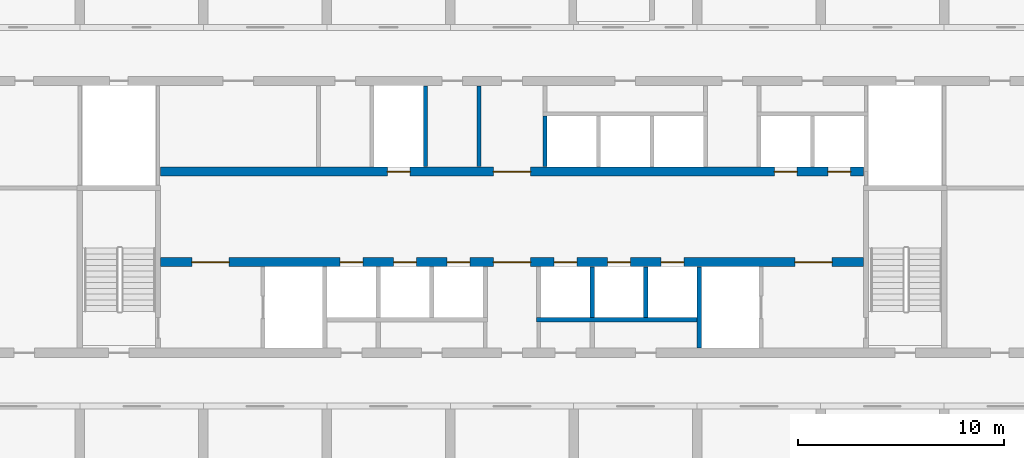
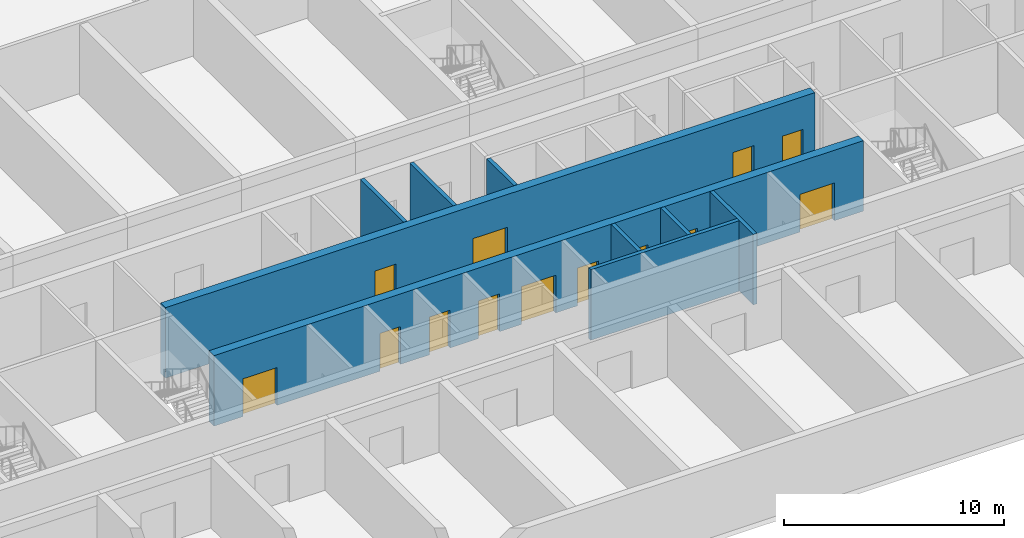
# One storey, part 6 of 15: 13 doors, 9 walls, 13 openings.
"""IFC4 building model written with IfcOpenShell, lengths in metres."""

import ifcopenshell
import ifcopenshell.guid

model = None  # the IFC model being written
_history = None  # IfcOwnerHistory: only IFC2X3 demands one
_inside = {}  # id of a spatial element -> (the spatial element, [elements in it])
_under = {}  # id of a project, library or spatial element -> (it, [spatial elements below it])
_declared = {}  # id of a project -> (the project, [libraries it declares])
_typed = {}  # id of a type object -> (the type object, [elements of that type])
_made_of = {}  # id of a material, layer set ... -> (it, [elements and type objects made of it])


def new_model(schema):
    """Start an empty IFC model of exactly this schema.

    Asked for "IFC4X3", IfcOpenShell would pick the latest addendum, in which some entities
    have other attributes; the version numbers below select the first issue.
    IFC2X3 requires an IfcOwnerHistory on every rooted entity: one is made here for all.
    """
    global model, _history
    if schema == "IFC4X3":
        model = ifcopenshell.file(schema_version=(4, 3, 0, 0))
    else:
        model = ifcopenshell.file(schema=schema)
    _inside.clear()
    _under.clear()
    _declared.clear()
    _typed.clear()
    _made_of.clear()
    _history = None
    if model.schema == "IFC2X3":
        org = make("IfcOrganization", Name="unknown")
        user = make(
            "IfcPersonAndOrganization",
            ThePerson=make("IfcPerson", FamilyName="unknown"),
            TheOrganization=org,
        )
        app = make(
            "IfcApplication",
            ApplicationDeveloper=org,
            Version="unknown",
            ApplicationFullName="unknown",
            ApplicationIdentifier="unknown",
        )
        _history = make(
            "IfcOwnerHistory",
            OwningUser=user,
            OwningApplication=app,
            ChangeAction="ADDED",
            CreationDate=0,
        )
    return model


def make(cls, **values):
    """One entity of the class cls with the attributes given. An attribute that is None is left unset."""
    return model.create_entity(
        cls, **{name: value for name, value in values.items() if value is not None}
    )


def rooted(cls, **values):
    """An entity with a GlobalId (a new one), such as an element, a storey or a relation."""
    return make(cls, GlobalId=ifcopenshell.guid.new(), OwnerHistory=_history, **values)


def si_unit(unit_type, name, prefix=None):
    """IfcSIUnit, for example si_unit("LENGTHUNIT", "METRE", prefix="MILLI")."""
    return make("IfcSIUnit", UnitType=unit_type, Prefix=prefix, Name=name)


def assignment(units):
    """IfcUnitAssignment: the units of a project."""
    return None if units is None else make("IfcUnitAssignment", Units=units)


def point(xyz):
    """IfcCartesianPoint."""
    return None if xyz is None else make("IfcCartesianPoint", Coordinates=xyz)


def direction(xyz):
    """IfcDirection."""
    return None if xyz is None else make("IfcDirection", DirectionRatios=xyz)


def frame(location, z_axis=None, x_axis=None):
    """IfcAxis2Placement3D, a coordinate frame: its origin and axes. An axis left out is left unset."""
    return make(
        "IfcAxis2Placement3D",
        Location=point(location),
        Axis=direction(z_axis),
        RefDirection=direction(x_axis),
    )


def frame_2d(location, x_axis=None):
    """IfcAxis2Placement2D, a coordinate frame in the plane: its origin and x axis."""
    return make(
        "IfcAxis2Placement2D", Location=point(location), RefDirection=direction(x_axis)
    )


def origin():
    """The frame at (0, 0, 0) with its axes left unset."""
    return frame((0.0, 0.0, 0.0))


def place(relative_to, where):
    """IfcLocalPlacement: puts the frame where relative to a parent placement (None: the world)."""
    return make(
        "IfcLocalPlacement", PlacementRelTo=relative_to, RelativePlacement=where
    )


def context(
    kind, dimensions, precision=None, world=None, true_north=None, identifier=None
):
    """IfcGeometricRepresentationContext, for example the 3D "Model" context."""
    return make(
        "IfcGeometricRepresentationContext",
        ContextIdentifier=identifier,
        ContextType=kind,
        CoordinateSpaceDimension=dimensions,
        Precision=precision,
        WorldCoordinateSystem=world,
        TrueNorth=true_north,
    )


def subcontext(parent, identifier, kind, view, scale=None):
    """IfcGeometricRepresentationSubContext, for example "Body" below "Model"."""
    return make(
        "IfcGeometricRepresentationSubContext",
        ContextIdentifier=identifier,
        ContextType=kind,
        ParentContext=parent,
        TargetScale=scale,
        TargetView=view,
    )


def project(units=None, contexts=None):
    """IfcProject with its units and contexts."""
    return rooted(
        "IfcProject",
        Name="project",
        RepresentationContexts=contexts,
        UnitsInContext=assignment(units),
    )


def spatial(cls, under=None, at=None, **own):
    """A site, building, storey or space (cls), placed at a placement, below another one or the project."""
    s = rooted(cls, ObjectPlacement=at, **own)
    if under is not None:
        _under.setdefault(under.id(), (under, []))[1].append(s)
    return s


def profile(cls, at=None, kind="AREA", **sizes):
    """A parametric profile (cls). Its sizes go by their IFC names, for example OverallWidth=200.0."""
    return make(cls, ProfileType=kind, Position=at, **sizes)


def rectangle(**sizes):
    """IfcRectangleProfileDef."""
    return profile("IfcRectangleProfileDef", **sizes)


def extrude(swept, where, along, depth):
    """IfcExtrudedAreaSolid: the profile swept, set in the frame where, extruded along a direction by depth."""
    return make(
        "IfcExtrudedAreaSolid",
        SweptArea=swept,
        Position=where,
        ExtrudedDirection=direction(along),
        Depth=depth,
    )


def shape(context_of_items, identifier, shape_type, items):
    """IfcShapeRepresentation: the items that make up one representation, for example the "Body"."""
    return make(
        "IfcShapeRepresentation",
        ContextOfItems=context_of_items,
        RepresentationIdentifier=identifier,
        RepresentationType=shape_type,
        Items=items,
    )


def material(Name=None, Category=None):
    """IfcMaterial."""
    return make("IfcMaterial", Name=Name, Category=Category)


def layer(
    of_material, thickness, ventilated=None, Name=None, Category=None, Priority=None
):
    """IfcMaterialLayer: one layer of a wall or slab, of a material (None: an air gap)."""
    return make(
        "IfcMaterialLayer",
        Material=of_material,
        LayerThickness=thickness,
        IsVentilated=ventilated,
        Name=Name,
        Category=Category,
        Priority=Priority,
    )


def layer_set(layers, Name=None):
    """IfcMaterialLayerSet."""
    return make("IfcMaterialLayerSet", MaterialLayers=layers, LayerSetName=Name)


def made_of(thing, what):
    """Note that an element or type object is made of a material, layer set ...; save() writes the relation."""
    if what is not None:
        _made_of.setdefault(what.id(), (what, []))[1].append(thing)
    return thing


def type_object(cls, material=None, **own):
    """A type object (cls), such as IfcWallType, which elements share."""
    return made_of(rooted(cls, **own), material)


def element(
    cls,
    number,
    at=None,
    inside=None,
    cuts=None,
    type_object=None,
    material=None,
    context=None,
    identifier="Body",
    shape_type=None,
    held_by="IfcProductDefinitionShape",
    body=None,
    shapes=None,
    **own,
):
    """One element of the class cls, such as IfcWall. Its Tag is "e" and its number.

    at: its placement. inside: the storey or other place that contains it. cuts: it is an
    opening in that element (IfcRelVoidsElement). A single representation is given by context,
    identifier, shape_type and body (its items); several are given by shapes. held_by: the class
    of the entity that holds the representations. save() writes the other relations.
    """
    e = rooted(cls, Tag="e%d" % number, ObjectPlacement=at, **own)
    if body is not None:
        shapes = [shape(context, identifier, shape_type, body)]
    if shapes is not None:
        e.Representation = make(held_by, Representations=shapes)
    if inside is not None:
        _inside.setdefault(inside.id(), (inside, []))[1].append(e)
    if cuts is not None:
        rooted(
            "IfcRelVoidsElement", RelatingBuildingElement=cuts, RelatedOpeningElement=e
        )
    if type_object is not None:
        _typed.setdefault(type_object.id(), (type_object, []))[1].append(e)
    return made_of(e, material)


def fill(opening, filler):
    """IfcRelFillsElement: the door or window that sits in an opening."""
    return rooted(
        "IfcRelFillsElement",
        RelatingOpeningElement=opening,
        RelatedBuildingElement=filler,
    )


def aggregate(whole, parts):
    """IfcRelAggregates: a whole, such as a stair, and the parts it consists of."""
    return rooted("IfcRelAggregates", RelatingObject=whole, RelatedObjects=parts)


def save(model, path):
    """Write the relations noted so far, then the file.

    IfcRelAggregates (storeys below a building ...), IfcRelContainedInSpatialStructure (elements
    in a storey), IfcRelDefinesByType, IfcRelAssociatesMaterial and IfcRelDeclares: one each for
    every whole, place, type object, material and project.
    """
    for whole, parts in _under.values():
        aggregate(whole, parts)
    for where, things in _inside.values():
        rooted(
            "IfcRelContainedInSpatialStructure",
            RelatedElements=things,
            RelatingStructure=where,
        )
    for kind, things in _typed.values():
        rooted("IfcRelDefinesByType", RelatedObjects=things, RelatingType=kind)
    for what, things in _made_of.values():
        rooted("IfcRelAssociatesMaterial", RelatedObjects=things, RelatingMaterial=what)
    for by, libraries in _declared.values():
        rooted("IfcRelDeclares", RelatingContext=by, RelatedDefinitions=libraries)
    model.write(path)


model = new_model("IFC4")

# Units and contexts
model_context = context("Model", 3, precision=1e-05, world=origin(), true_north=direction((0.0, 1.0)))
body_context = subcontext(model_context, "Body", "Model", "MODEL_VIEW")
ifc_project = project(units=[si_unit("LENGTHUNIT", "METRE"), si_unit("AREAUNIT", "SQUARE_METRE"), si_unit("VOLUMEUNIT", "CUBIC_METRE"), si_unit("PLANEANGLEUNIT", "RADIAN"), si_unit("MASSUNIT", "GRAM", prefix="KILO")], contexts=[model_context])

# Site, building, storey
site_placement = place(None, origin())
site = spatial("IfcSite", under=ifc_project, at=site_placement, CompositionType="ELEMENT")
building_placement = place(site_placement, origin())
building = spatial("IfcBuilding", under=site, at=building_placement, Name="Poui Terraces", CompositionType="ELEMENT")
storey_placement = place(building_placement, frame((0.0, 0.0, 10.800048828125)))
storey = spatial("IfcBuildingStorey", under=building, at=storey_placement, Name="L02", CompositionType="ELEMENT", Elevation=10.800048828125)

# Wall, openings, doors
ifc_material_1 = material(Name="Concrete 80 MPa", Category="concrete")
ifc_layer_1 = layer(ifc_material_1, 0.449951171875)
ifc_layer_set_1 = layer_set([ifc_layer_1], Name="Concrete 80 MPa")
wall_type_1 = type_object("IfcWallType", Name="CORE WALL 450 80 MPA", PredefinedType="SOLIDWALL", material=ifc_layer_set_1)
wall_1_placement = place(storey_placement, frame((33.925048828125, 19.0, 0.0), z_axis=(0.0, 0.0, 1.0), x_axis=(1.0, 0.0, 0.0)))
wall_1 = element("IfcWall", 1, at=wall_1_placement, inside=storey, type_object=wall_type_1, Name="CORE WALL", PredefinedType="SOLIDWALL", context=body_context, shape_type="SweptSolid", body=[
    extrude(rectangle(XDim=34.14990234375, YDim=0.449951171875, at=frame_2d((17.074951171875, 0.0))), origin(), (0.0, 0.0, 1.0), 3.919921875),
])
opening_1_placement = place(wall_1_placement, frame((16.175048828125, 0.0, 0.0)))
opening_1 = element("IfcOpeningElement", 2, at=opening_1_placement, cuts=wall_1, Name="Opening FDD60", PredefinedType="OPENING", context=body_context, shape_type="SweptSolid", body=[
    extrude(rectangle(XDim=1.800048828125, YDim=2.10009765625, at=frame_2d((0.89990234375, 1.050048828125))), frame((0.0, 0.23486328125, 0.0), z_axis=(0.0, -1.0, 0.0), x_axis=(1.0, 0.0, 0.0)), (0.0, 0.0, 1.0), 0.469970703125),
])
opening_2_placement = place(wall_1_placement, frame((1.52490234375, 0.0, 0.0)))
opening_2 = element("IfcOpeningElement", 3, at=opening_2_placement, cuts=wall_1, Name="Opening FDD60", PredefinedType="OPENING", context=body_context, shape_type="SweptSolid", body=[
    extrude(rectangle(XDim=1.800048828125, YDim=2.10009765625, at=frame_2d((0.89990234375, 1.050048828125))), frame((0.0, 0.23486328125, 0.0), z_axis=(0.0, -1.0, 0.0), x_axis=(1.0, 0.0, 0.0)), (0.0, 0.0, 1.0), 0.469970703125),
])
opening_3_placement = place(wall_1_placement, frame((8.72509765625, 0.0, 0.0)))
opening_3 = element("IfcOpeningElement", 4, at=opening_3_placement, cuts=wall_1, Name="Opening LD", PredefinedType="OPENING", context=body_context, shape_type="SweptSolid", body=[
    extrude(rectangle(XDim=1.10009765625, YDim=2.10009765625, at=frame_2d((0.550048828125, 1.050048828125))), frame((0.0, 0.23486328125, 0.0), z_axis=(0.0, -1.0, 0.0), x_axis=(1.0, 0.0, 0.0)), (0.0, 0.0, 1.0), 0.469970703125),
])
opening_4_placement = place(wall_1_placement, frame((11.324951171875, 0.0, 0.0)))
opening_4 = element("IfcOpeningElement", 5, at=opening_4_placement, cuts=wall_1, Name="Opening LD", PredefinedType="OPENING", context=body_context, shape_type="SweptSolid", body=[
    extrude(rectangle(XDim=1.10009765625, YDim=2.10009765625, at=frame_2d((0.550048828125, 1.050048828125))), frame((0.0, 0.23486328125, 0.0), z_axis=(0.0, -1.0, 0.0), x_axis=(1.0, 0.0, 0.0)), (0.0, 0.0, 1.0), 0.469970703125),
])
opening_5_placement = place(wall_1_placement, frame((13.925048828125, 0.0, 0.0)))
opening_5 = element("IfcOpeningElement", 6, at=opening_5_placement, cuts=wall_1, Name="Opening LD", PredefinedType="OPENING", context=body_context, shape_type="SweptSolid", body=[
    extrude(rectangle(XDim=1.10009765625, YDim=2.10009765625, at=frame_2d((0.550048828125, 1.050048828125))), frame((0.0, 0.23486328125, 0.0), z_axis=(0.0, -1.0, 0.0), x_axis=(1.0, 0.0, 0.0)), (0.0, 0.0, 1.0), 0.469970703125),
])
opening_6_placement = place(wall_1_placement, frame((19.125, 0.0, 0.0)))
opening_6 = element("IfcOpeningElement", 7, at=opening_6_placement, cuts=wall_1, Name="Opening LD", PredefinedType="OPENING", context=body_context, shape_type="SweptSolid", body=[
    extrude(rectangle(XDim=1.10009765625, YDim=2.10009765625, at=frame_2d((0.550048828125, 1.050048828125))), frame((0.0, 0.23486328125, 0.0), z_axis=(0.0, -1.0, 0.0), x_axis=(1.0, 0.0, 0.0)), (0.0, 0.0, 1.0), 0.469970703125),
])
opening_7_placement = place(wall_1_placement, frame((21.72509765625, 0.0, 0.0)))
opening_7 = element("IfcOpeningElement", 8, at=opening_7_placement, cuts=wall_1, Name="Opening LD", PredefinedType="OPENING", context=body_context, shape_type="SweptSolid", body=[
    extrude(rectangle(XDim=1.10009765625, YDim=2.10009765625, at=frame_2d((0.550048828125, 1.050048828125))), frame((0.0, 0.23486328125, 0.0), z_axis=(0.0, -1.0, 0.0), x_axis=(1.0, 0.0, 0.0)), (0.0, 0.0, 1.0), 0.469970703125),
])
opening_8_placement = place(wall_1_placement, frame((24.324951171875, 0.0, 0.0)))
opening_8 = element("IfcOpeningElement", 9, at=opening_8_placement, cuts=wall_1, Name="Opening LD", PredefinedType="OPENING", context=body_context, shape_type="SweptSolid", body=[
    extrude(rectangle(XDim=1.10009765625, YDim=2.10009765625, at=frame_2d((0.550048828125, 1.050048828125))), frame((0.0, 0.23486328125, 0.0), z_axis=(0.0, -1.0, 0.0), x_axis=(1.0, 0.0, 0.0)), (0.0, 0.0, 1.0), 0.469970703125),
])
opening_9_placement = place(wall_1_placement, frame((30.824951171875, 0.0, 0.0)))
opening_9 = element("IfcOpeningElement", 10, at=opening_9_placement, cuts=wall_1, Name="Opening FDD60", PredefinedType="OPENING", context=body_context, shape_type="SweptSolid", body=[
    extrude(rectangle(XDim=1.800048828125, YDim=2.10009765625, at=frame_2d((0.89990234375, 1.050048828125))), frame((0.0, 0.23486328125, 0.0), z_axis=(0.0, -1.0, 0.0), x_axis=(1.0, 0.0, 0.0)), (0.0, 0.0, 1.0), 0.469970703125),
])
ifc_material_2 = material(Name="Steel fire door", Category="steel")
door_type_1 = type_object("IfcDoorType", Name="DOUBLE LOBBY FIRE DOOR 1800 X 2100", OperationType="DOUBLE_DOOR_SINGLE_SWING", PredefinedType="DOOR", material=ifc_material_2)
door_1_placement = place(opening_1_placement, frame((1.800048828125, 0.0, 0.0), z_axis=(0.0, 0.0, 1.0), x_axis=(-1.0, 0.0, 0.0)))
door_1 = element("IfcDoor", 11, at=door_1_placement, inside=storey, type_object=door_type_1, Name="DOUBLE LOBBY FIRE DOOR 088", OperationType="DOUBLE_DOOR_SINGLE_SWING", OverallHeight=2.10009765625, OverallWidth=1.800048828125, PredefinedType="DOOR", context=body_context, shape_type="SweptSolid", body=[
    extrude(rectangle(XDim=1.800048828125, YDim=2.10009765625, at=frame_2d((0.89990234375, 1.050048828125))), frame((0.0, 0.02490234375, 0.0), z_axis=(0.0, -1.0, 0.0), x_axis=(1.0, 0.0, 0.0)), (0.0, 0.0, 1.0), 0.050048828125),
])
fill(opening_1, door_1)
door_2_placement = place(opening_2_placement, origin())
door_2 = element("IfcDoor", 12, at=door_2_placement, inside=storey, type_object=door_type_1, Name="DOUBLE LOBBY FIRE DOOR 089", OperationType="DOUBLE_DOOR_SINGLE_SWING", OverallHeight=2.10009765625, OverallWidth=1.800048828125, PredefinedType="DOOR", context=body_context, shape_type="SweptSolid", body=[
    extrude(rectangle(XDim=1.800048828125, YDim=2.10009765625, at=frame_2d((0.89990234375, 1.050048828125))), frame((0.0, 0.02490234375, 0.0), z_axis=(0.0, -1.0, 0.0), x_axis=(1.0, 0.0, 0.0)), (0.0, 0.0, 1.0), 0.050048828125),
])
fill(opening_2, door_2)
door_3_placement = place(opening_9_placement, origin())
door_3 = element("IfcDoor", 13, at=door_3_placement, inside=storey, type_object=door_type_1, Name="DOUBLE LOBBY FIRE DOOR 098", OperationType="DOUBLE_DOOR_SINGLE_SWING", OverallHeight=2.10009765625, OverallWidth=1.800048828125, PredefinedType="DOOR", context=body_context, shape_type="SweptSolid", body=[
    extrude(rectangle(XDim=1.800048828125, YDim=2.10009765625, at=frame_2d((0.89990234375, 1.050048828125))), frame((0.0, 0.02490234375, 0.0), z_axis=(0.0, -1.0, 0.0), x_axis=(1.0, 0.0, 0.0)), (0.0, 0.0, 1.0), 0.050048828125),
])
fill(opening_9, door_3)
ifc_material_3 = material(Name="Stainless steel sliding door", Category="steel")
door_type_2 = type_object("IfcDoorType", Name="LIFT LANDING DOOR 1100 X 2100", OperationType="DOUBLE_DOOR_SLIDING", PredefinedType="DOOR", material=ifc_material_3)
door_4_placement = place(opening_3_placement, origin())
door_4 = element("IfcDoor", 14, at=door_4_placement, inside=storey, type_object=door_type_2, Name="LANDING DOOR", OperationType="DOUBLE_DOOR_SLIDING", OverallHeight=2.10009765625, OverallWidth=1.10009765625, PredefinedType="DOOR", context=body_context, shape_type="SweptSolid", body=[
    extrude(rectangle(XDim=1.10009765625, YDim=2.10009765625, at=frame_2d((0.550048828125, 1.050048828125))), frame((0.0, 0.02490234375, 0.0), z_axis=(0.0, -1.0, 0.0), x_axis=(1.0, 0.0, 0.0)), (0.0, 0.0, 1.0), 0.050048828125),
])
fill(opening_3, door_4)
door_5_placement = place(opening_4_placement, origin())
door_5 = element("IfcDoor", 15, at=door_5_placement, inside=storey, type_object=door_type_2, Name="LANDING DOOR", OperationType="DOUBLE_DOOR_SLIDING", OverallHeight=2.10009765625, OverallWidth=1.10009765625, PredefinedType="DOOR", context=body_context, shape_type="SweptSolid", body=[
    extrude(rectangle(XDim=1.10009765625, YDim=2.10009765625, at=frame_2d((0.550048828125, 1.050048828125))), frame((0.0, 0.02490234375, 0.0), z_axis=(0.0, -1.0, 0.0), x_axis=(1.0, 0.0, 0.0)), (0.0, 0.0, 1.0), 0.050048828125),
])
fill(opening_4, door_5)
door_6_placement = place(opening_5_placement, origin())
door_6 = element("IfcDoor", 16, at=door_6_placement, inside=storey, type_object=door_type_2, Name="LANDING DOOR", OperationType="DOUBLE_DOOR_SLIDING", OverallHeight=2.10009765625, OverallWidth=1.10009765625, PredefinedType="DOOR", context=body_context, shape_type="SweptSolid", body=[
    extrude(rectangle(XDim=1.10009765625, YDim=2.10009765625, at=frame_2d((0.550048828125, 1.050048828125))), frame((0.0, 0.02490234375, 0.0), z_axis=(0.0, -1.0, 0.0), x_axis=(1.0, 0.0, 0.0)), (0.0, 0.0, 1.0), 0.050048828125),
])
fill(opening_5, door_6)
door_7_placement = place(opening_6_placement, origin())
door_7 = element("IfcDoor", 17, at=door_7_placement, inside=storey, type_object=door_type_2, Name="LANDING DOOR", OperationType="DOUBLE_DOOR_SLIDING", OverallHeight=2.10009765625, OverallWidth=1.10009765625, PredefinedType="DOOR", context=body_context, shape_type="SweptSolid", body=[
    extrude(rectangle(XDim=1.10009765625, YDim=2.10009765625, at=frame_2d((0.550048828125, 1.050048828125))), frame((0.0, 0.02490234375, 0.0), z_axis=(0.0, -1.0, 0.0), x_axis=(1.0, 0.0, 0.0)), (0.0, 0.0, 1.0), 0.050048828125),
])
fill(opening_6, door_7)
door_8_placement = place(opening_7_placement, origin())
door_8 = element("IfcDoor", 18, at=door_8_placement, inside=storey, type_object=door_type_2, Name="LANDING DOOR", OperationType="DOUBLE_DOOR_SLIDING", OverallHeight=2.10009765625, OverallWidth=1.10009765625, PredefinedType="DOOR", context=body_context, shape_type="SweptSolid", body=[
    extrude(rectangle(XDim=1.10009765625, YDim=2.10009765625, at=frame_2d((0.550048828125, 1.050048828125))), frame((0.0, 0.02490234375, 0.0), z_axis=(0.0, -1.0, 0.0), x_axis=(1.0, 0.0, 0.0)), (0.0, 0.0, 1.0), 0.050048828125),
])
fill(opening_7, door_8)
door_9_placement = place(opening_8_placement, origin())
door_9 = element("IfcDoor", 19, at=door_9_placement, inside=storey, type_object=door_type_2, Name="LANDING DOOR", OperationType="DOUBLE_DOOR_SLIDING", OverallHeight=2.10009765625, OverallWidth=1.10009765625, PredefinedType="DOOR", context=body_context, shape_type="SweptSolid", body=[
    extrude(rectangle(XDim=1.10009765625, YDim=2.10009765625, at=frame_2d((0.550048828125, 1.050048828125))), frame((0.0, 0.02490234375, 0.0), z_axis=(0.0, -1.0, 0.0), x_axis=(1.0, 0.0, 0.0)), (0.0, 0.0, 1.0), 0.050048828125),
])
fill(opening_8, door_9)

wall_2_placement = place(storey_placement, frame((33.925048828125, 23.39990234375, 0.0), z_axis=(0.0, 0.0, 1.0), x_axis=(1.0, 0.0, 0.0)))
wall_2 = element("IfcWall", 20, at=wall_2_placement, inside=storey, type_object=wall_type_1, Name="CORE WALL", PredefinedType="SOLIDWALL", context=body_context, shape_type="SweptSolid", body=[
    extrude(rectangle(XDim=34.14990234375, YDim=0.449951171875, at=frame_2d((17.074951171875, 0.0))), origin(), (0.0, 0.0, 1.0), 3.919921875),
])
opening_10_placement = place(wall_2_placement, frame((16.175048828125, 0.0, 0.0)))
opening_10 = element("IfcOpeningElement", 21, at=opening_10_placement, cuts=wall_2, Name="Opening FDD60", PredefinedType="OPENING", context=body_context, shape_type="SweptSolid", body=[
    extrude(rectangle(XDim=1.800048828125, YDim=2.10009765625, at=frame_2d((0.89990234375, 1.050048828125))), frame((0.0, 0.23486328125, 0.0), z_axis=(0.0, -1.0, 0.0), x_axis=(1.0, 0.0, 0.0)), (0.0, 0.0, 1.0), 0.469970703125),
])
opening_11_placement = place(wall_2_placement, frame((11.02490234375, 0.0, 0.0)))
opening_11 = element("IfcOpeningElement", 22, at=opening_11_placement, cuts=wall_2, Name="Opening LD", PredefinedType="OPENING", context=body_context, shape_type="SweptSolid", body=[
    extrude(rectangle(XDim=1.10009765625, YDim=2.10009765625, at=frame_2d((0.550048828125, 1.050048828125))), frame((0.0, 0.23486328125, 0.0), z_axis=(0.0, -1.0, 0.0), x_axis=(1.0, 0.0, 0.0)), (0.0, 0.0, 1.0), 0.469970703125),
])
opening_12_placement = place(wall_2_placement, frame((29.824951171875, 0.0, 0.0)))
opening_12 = element("IfcOpeningElement", 23, at=opening_12_placement, cuts=wall_2, Name="Opening LD", PredefinedType="OPENING", context=body_context, shape_type="SweptSolid", body=[
    extrude(rectangle(XDim=1.10009765625, YDim=2.10009765625, at=frame_2d((0.550048828125, 1.050048828125))), frame((0.0, 0.23486328125, 0.0), z_axis=(0.0, -1.0, 0.0), x_axis=(1.0, 0.0, 0.0)), (0.0, 0.0, 1.0), 0.469970703125),
])
opening_13_placement = place(wall_2_placement, frame((32.425048828125, 0.0, 0.0)))
opening_13 = element("IfcOpeningElement", 24, at=opening_13_placement, cuts=wall_2, Name="Opening LD", PredefinedType="OPENING", context=body_context, shape_type="SweptSolid", body=[
    extrude(rectangle(XDim=1.10009765625, YDim=2.10009765625, at=frame_2d((0.550048828125, 1.050048828125))), frame((0.0, 0.23486328125, 0.0), z_axis=(0.0, -1.0, 0.0), x_axis=(1.0, 0.0, 0.0)), (0.0, 0.0, 1.0), 0.469970703125),
])
door_10_placement = place(opening_10_placement, origin())
door_10 = element("IfcDoor", 25, at=door_10_placement, inside=storey, type_object=door_type_1, Name="DOUBLE LOBBY FIRE DOOR 087", OperationType="DOUBLE_DOOR_SINGLE_SWING", OverallHeight=2.10009765625, OverallWidth=1.800048828125, PredefinedType="DOOR", context=body_context, shape_type="SweptSolid", body=[
    extrude(rectangle(XDim=1.800048828125, YDim=2.10009765625, at=frame_2d((0.89990234375, 1.050048828125))), frame((0.0, 0.02490234375, 0.0), z_axis=(0.0, -1.0, 0.0), x_axis=(1.0, 0.0, 0.0)), (0.0, 0.0, 1.0), 0.050048828125),
])
fill(opening_10, door_10)
door_11_placement = place(opening_11_placement, origin())
door_11 = element("IfcDoor", 26, at=door_11_placement, inside=storey, type_object=door_type_2, Name="LANDING DOOR", OperationType="DOUBLE_DOOR_SLIDING", OverallHeight=2.10009765625, OverallWidth=1.10009765625, PredefinedType="DOOR", context=body_context, shape_type="SweptSolid", body=[
    extrude(rectangle(XDim=1.10009765625, YDim=2.10009765625, at=frame_2d((0.550048828125, 1.050048828125))), frame((0.0, 0.02490234375, 0.0), z_axis=(0.0, -1.0, 0.0), x_axis=(1.0, 0.0, 0.0)), (0.0, 0.0, 1.0), 0.050048828125),
])
fill(opening_11, door_11)
door_12_placement = place(opening_12_placement, origin())
door_12 = element("IfcDoor", 27, at=door_12_placement, inside=storey, type_object=door_type_2, Name="LANDING DOOR", OperationType="DOUBLE_DOOR_SLIDING", OverallHeight=2.10009765625, OverallWidth=1.10009765625, PredefinedType="DOOR", context=body_context, shape_type="SweptSolid", body=[
    extrude(rectangle(XDim=1.10009765625, YDim=2.10009765625, at=frame_2d((0.550048828125, 1.050048828125))), frame((0.0, 0.02490234375, 0.0), z_axis=(0.0, -1.0, 0.0), x_axis=(1.0, 0.0, 0.0)), (0.0, 0.0, 1.0), 0.050048828125),
])
fill(opening_12, door_12)
door_13_placement = place(opening_13_placement, origin())
door_13 = element("IfcDoor", 28, at=door_13_placement, inside=storey, type_object=door_type_2, Name="LANDING DOOR", OperationType="DOUBLE_DOOR_SLIDING", OverallHeight=2.10009765625, OverallWidth=1.10009765625, PredefinedType="DOOR", context=body_context, shape_type="SweptSolid", body=[
    extrude(rectangle(XDim=1.10009765625, YDim=2.10009765625, at=frame_2d((0.550048828125, 1.050048828125))), frame((0.0, 0.02490234375, 0.0), z_axis=(0.0, -1.0, 0.0), x_axis=(1.0, 0.0, 0.0)), (0.0, 0.0, 1.0), 0.050048828125),
])
fill(opening_13, door_13)

# Walls
ifc_material_4 = material(Name="Fire-rated masonry wall", Category="masonry")
ifc_layer_2 = layer(ifc_material_4, 0.199951171875)
ifc_layer_set_2 = layer_set([ifc_layer_2], Name="Fire-rated masonry wall")
wall_type_2 = type_object("IfcWallType", Name="PLANT ROOM WALL 200", PredefinedType="PARTITIONING", material=ifc_layer_set_2)
wall_3_placement = place(storey_placement, frame((49.39990234375, 23.635009765625, 0.0), z_axis=(0.0, 0.0, 1.0), x_axis=(0.0, 1.0, 0.0)))
element("IfcWall", 29, at=wall_3_placement, inside=storey, type_object=wall_type_2, Name="PLANT ROOM WALL 200", PredefinedType="PARTITIONING", context=body_context, shape_type="SweptSolid", body=[
    extrude(rectangle(XDim=3.929931640625, YDim=0.199951171875, at=frame_2d((1.96484375, 0.0))), origin(), (0.0, 0.0, 1.0), 3.919921875),
])
ifc_material_5 = material(Name="Fire-rated masonry shaft wall", Category="masonry")
ifc_layer_3 = layer(ifc_material_5, 0.199951171875)
ifc_layer_set_3 = layer_set([ifc_layer_3], Name="Fire-rated masonry shaft wall")
wall_type_3 = type_object("IfcWallType", Name="SHAFT WALL 200", PredefinedType="PARTITIONING", material=ifc_layer_set_3)
wall_4_placement = place(storey_placement, frame((52.199951171875, 16.199951171875, 0.0), z_axis=(0.0, 0.0, 1.0), x_axis=(1.0, 0.0, 0.0)))
element("IfcWall", 30, at=wall_4_placement, inside=storey, type_object=wall_type_3, Name="SHAFT WALL 200", PredefinedType="PARTITIONING", context=body_context, shape_type="SweptSolid", body=[
    extrude(rectangle(XDim=7.800048828125, YDim=0.199951171875, at=frame_2d((3.89990234375, 0.0))), origin(), (0.0, 0.0, 1.0), 3.919921875),
])
wall_5_placement = place(storey_placement, frame((46.800048828125, 23.635009765625, 0.0), z_axis=(0.0, 0.0, 1.0), x_axis=(0.0, 1.0, 0.0)))
element("IfcWall", 31, at=wall_5_placement, inside=storey, type_object=wall_type_3, Name="SHAFT WALL 200", PredefinedType="PARTITIONING", context=body_context, shape_type="SweptSolid", body=[
    extrude(rectangle(XDim=3.929931640625, YDim=0.199951171875, at=frame_2d((1.96484375, 0.0))), origin(), (0.0, 0.0, 1.0), 3.919921875),
])
wall_6_placement = place(storey_placement, frame((52.60009765625, 23.635009765625, 0.0), z_axis=(0.0, 0.0, 1.0), x_axis=(0.0, 1.0, 0.0)))
element("IfcWall", 32, at=wall_6_placement, inside=storey, type_object=wall_type_3, Name="SHAFT WALL 200", PredefinedType="PARTITIONING", context=body_context, shape_type="SweptSolid", body=[
    extrude(rectangle(XDim=2.465087890625, YDim=0.199951171875, at=frame_2d((1.232421875, 0.0))), origin(), (0.0, 0.0, 1.0), 3.919921875),
])
for number, where, z_axis, x_axis, name in (
    (33, (54.89990234375, 16.300048828125, 0.0), (0.0, 0.0, 1.0), (0.0, 1.0, 0.0), "SHAFT WALL 200"),
    (34, (57.5, 16.300048828125, 0.0), (0.0, 0.0, 1.0), (0.0, 1.0, 0.0), "SHAFT WALL 200"),
):
    element("IfcWall", number, at=place(storey_placement, frame(where, z_axis=z_axis, x_axis=x_axis)), inside=storey, type_object=wall_type_3, Name=name, PredefinedType="PARTITIONING", context=body_context, shape_type="SweptSolid", body=[
        extrude(rectangle(XDim=2.46484375, YDim=0.199951171875, at=frame_2d((1.232421875, 0.0))), origin(), (0.0, 0.0, 1.0), 3.919921875),
    ])
wall_7_placement = place(storey_placement, frame((60.10009765625, 14.8349609375, 0.0), z_axis=(0.0, 0.0, 1.0), x_axis=(0.0, 1.0, 0.0)))
element("IfcWall", 35, at=wall_7_placement, inside=storey, type_object=wall_type_3, Name="SHAFT WALL 200", PredefinedType="PARTITIONING", context=body_context, shape_type="SweptSolid", body=[
    extrude(rectangle(XDim=3.929931640625, YDim=0.199951171875, at=frame_2d((1.96484375, 0.0))), origin(), (0.0, 0.0, 1.0), 3.919921875),
])

save(model, "model.ifc")
